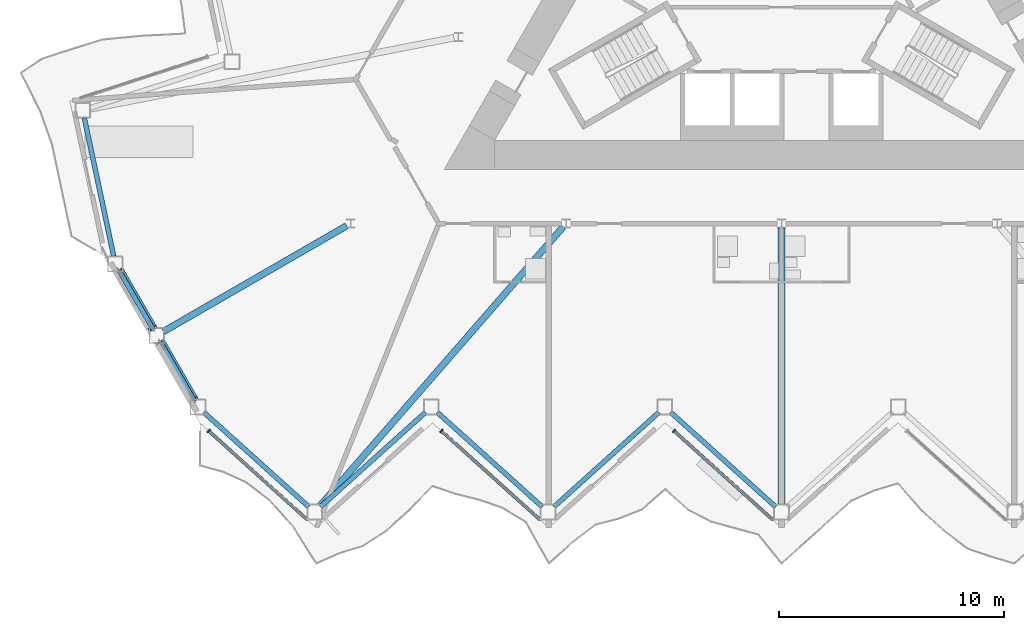
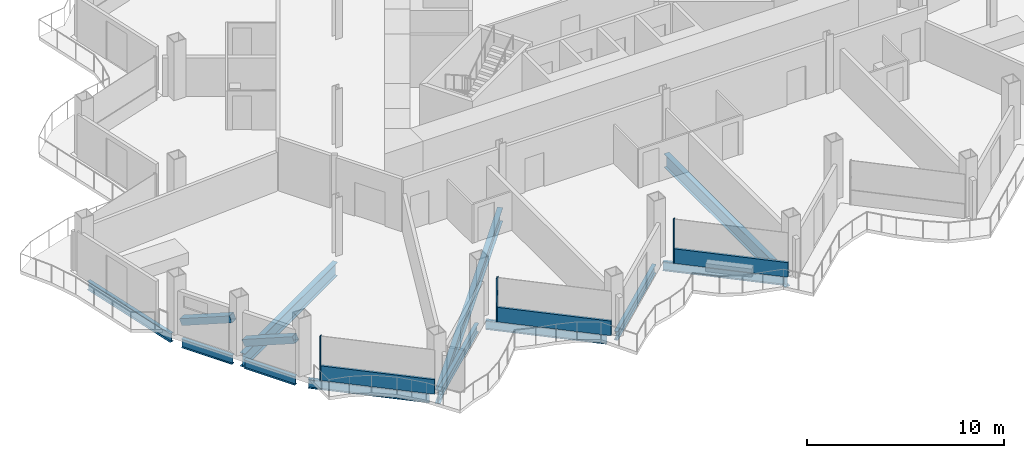
# One storey, part 4 of 24: 11 beams, 8 members, 3 elements without a shape of their own.
"""IFC4 building model written with IfcOpenShell, lengths in metres."""

from ifc_helpers import new_model, si_unit, direction, frame, origin, origin_2d, place, context, subcontext, project, spatial, rectangle, hollow_rectangle, i_section, extrude, material, layer, layer_set, material_profile, profile_set, type_object, element, aggregate, save


model = new_model("IFC4")

# Units and contexts
model_context = context("Model", 3, precision=1e-05, world=origin(), true_north=direction((0.0, 1.0)))
body_context = subcontext(model_context, "Body", "Model", "MODEL_VIEW")
ifc_project = project(units=[si_unit("LENGTHUNIT", "METRE"), si_unit("AREAUNIT", "SQUARE_METRE"), si_unit("VOLUMEUNIT", "CUBIC_METRE"), si_unit("PLANEANGLEUNIT", "RADIAN"), si_unit("MASSUNIT", "GRAM", prefix="KILO")], contexts=[model_context])

# Site, building, storey
site_placement = place(None, origin())
site = spatial("IfcSite", under=ifc_project, at=site_placement, CompositionType="ELEMENT")
building_placement = place(site_placement, origin())
building = spatial("IfcBuilding", under=site, at=building_placement, Name="Cormorant Prow Tower", CompositionType="ELEMENT")
storey_placement = place(building_placement, frame((0.0, 0.0, 238.199951171875)))
storey = spatial("IfcBuildingStorey", under=building, at=storey_placement, Name="L52", CompositionType="ELEMENT", Elevation=238.199951171875)

# Members
ifc_material_1 = material(Name="Structural steel ASTM A500 Gr C", Category="steel")
ifc_material_profile_1 = material_profile(ifc_material_1, hollow_rectangle(XDim=0.406494140625, YDim=0.406494140625, WallThickness=0.01171875, at=origin_2d()), Name="HSS16x16x1/2")
ifc_profile_set_1 = profile_set([ifc_material_profile_1], Name="Structural steel ASTM A500 Gr C")
member_type_1 = type_object("IfcMemberType", Name="Chamfer brace HSS16x16x1/2", PredefinedType="BRACE", material=ifc_profile_set_1)
for number, where, z_axis, x_axis, name in (
    (1, (-29.4287109375, -13.174560546875, 0.74951171875), (0.462773096913, -0.801606962687, 0.378506721399), (0.866041729639, 0.499971721724, 0.0), "Chamfer brace BR2 at WSW00 L52"),
    (2, (-27.593505859375, -16.353271484375, 0.74951171875), (0.462773096913, -0.801606962687, 0.378506721399), (0.866041729639, 0.499971721724, 0.0), "Chamfer brace BR2 at WSW01 L52"),
):
    element("IfcMember", number, at=place(storey_placement, frame(where, z_axis=z_axis, x_axis=x_axis)), inside=storey, type_object=member_type_1, Name=name, PredefinedType="BRACE", context=body_context, shape_type="SweptSolid", body=[
        extrude(hollow_rectangle(XDim=0.406494140625, YDim=0.406494140625, WallThickness=0.01171875, at=origin_2d()), origin(), (0.0, 0.0, 1.0), 3.17529296875),
    ])

# Curtain wall, member
ifc_material_2 = material(Name="Aluminium 6063-T6", Category="aluminium")
ifc_layer = layer(ifc_material_2, 0.179931640625)
ifc_layer_set = layer_set([ifc_layer], Name="Aluminium 6063-T6")
curtain_wall_type = type_object("IfcCurtainWallType", Name="Hotel unitised curtain wall 180", PredefinedType="NOTDEFINED", material=ifc_layer_set)
curtain_wall_1_placement = place(storey_placement, origin())
curtain_wall_1 = element("IfcCurtainWall", 3, at=curtain_wall_1_placement, inside=storey, type_object=curtain_wall_type, Name="Hotel curtain wall S00", PredefinedType="NOTDEFINED")
ifc_material_3 = material(Name="Aluminium 6063-T6", Category="aluminium")
ifc_material_profile_2 = material_profile(ifc_material_3, rectangle(XDim=0.179931640625, YDim=0.06005859375, at=origin_2d()), Name="Hotel mullion 60x180")
ifc_profile_set_2 = profile_set([ifc_material_profile_2], Name="Aluminium 6063-T6")
member_type_2 = type_object("IfcMemberType", Name="Hotel mullion 60x180", PredefinedType="MULLION", material=ifc_profile_set_2)
member_1_placement = place(storey_placement, frame((-25.46484375, -20.278076171875, 0.0), z_axis=(0.0, 0.0, 1.0), x_axis=(0.669130639913, 0.743144795265, 0.0)))
member_1 = element("IfcMember", 4, at=member_1_placement, type_object=member_type_2, Name="Hotel mullion S00", PredefinedType="MULLION", context=body_context, shape_type="SweptSolid", body=[
    extrude(rectangle(XDim=0.179931640625, YDim=0.06005859375, at=origin_2d()), origin(), (0.0, 0.0, 1.0), 2.700927734375),
])

curtain_wall_2_placement = place(storey_placement, origin())
curtain_wall_2 = element("IfcCurtainWall", 5, at=curtain_wall_2_placement, inside=storey, type_object=curtain_wall_type, Name="Hotel curtain wall S02", PredefinedType="NOTDEFINED")
member_2_placement = place(storey_placement, frame((-15.12109375, -20.278076171875, 0.0), z_axis=(0.0, 0.0, 1.0), x_axis=(0.669130639913, 0.743144795265, 0.0)))
member_2 = element("IfcMember", 6, at=member_2_placement, type_object=member_type_2, Name="Hotel mullion S02", PredefinedType="MULLION", context=body_context, shape_type="SweptSolid", body=[
    extrude(rectangle(XDim=0.179931640625, YDim=0.06005859375, at=origin_2d()), origin(), (0.0, 0.0, 1.0), 2.700927734375),
])

curtain_wall_3_placement = place(storey_placement, origin())
curtain_wall_3 = element("IfcCurtainWall", 7, at=curtain_wall_3_placement, inside=storey, type_object=curtain_wall_type, Name="Hotel curtain wall S04", PredefinedType="NOTDEFINED")
member_3_placement = place(storey_placement, frame((-4.77734375, -20.278076171875, 0.0), z_axis=(0.0, 0.0, 1.0), x_axis=(0.669130568473, 0.74314485959, 0.0)))
member_3 = element("IfcMember", 8, at=member_3_placement, type_object=member_type_2, Name="Hotel mullion S04", PredefinedType="MULLION", context=body_context, shape_type="SweptSolid", body=[
    extrude(rectangle(XDim=0.179931640625, YDim=0.06005859375, at=origin_2d()), origin(), (0.0, 0.0, 1.0), 2.700927734375),
])

# Member
ifc_material_4 = material(Name="Terracotta", Category="masonry")
ifc_material_profile_3 = material_profile(ifc_material_4, rectangle(XDim=0.139892578125, YDim=0.89990234375, at=origin_2d()), Name="Hotel terracotta spandrel rail 140x900")
ifc_profile_set_3 = profile_set([ifc_material_profile_3], Name="Terracotta")
member_type_3 = type_object("IfcMemberType", Name="Hotel terracotta spandrel rail 140x900", PredefinedType="USERDEFINED", material=ifc_profile_set_3)
member_4_placement = place(storey_placement, frame((-25.442626953125, -20.29833984375, 0.449951171875), z_axis=(0.743166509731, -0.669106522771, 0.0), x_axis=(0.669106522771, 0.743166509731, 0.0)))
member_4 = element("IfcMember", 9, at=member_4_placement, type_object=member_type_3, Name="Hotel spandrel rail S00", ObjectType="TRANSOM", PredefinedType="USERDEFINED", context=body_context, shape_type="SweptSolid", body=[
    extrude(rectangle(XDim=0.139892578125, YDim=0.89990234375, at=origin_2d()), origin(), (0.0, 0.0, 1.0), 5.8974609375),
])

aggregate(curtain_wall_1, [member_1, member_4])

member_5_placement = place(storey_placement, frame((-15.098876953125, -20.29833984375, 0.449951171875), z_axis=(0.743166509731, -0.669106522771, 0.0), x_axis=(0.669106522771, 0.743166509731, 0.0)))
member_5 = element("IfcMember", 10, at=member_5_placement, type_object=member_type_3, Name="Hotel spandrel rail S02", ObjectType="TRANSOM", PredefinedType="USERDEFINED", context=body_context, shape_type="SweptSolid", body=[
    extrude(rectangle(XDim=0.139892578125, YDim=0.89990234375, at=origin_2d()), origin(), (0.0, 0.0, 1.0), 5.8974609375),
])

aggregate(curtain_wall_2, [member_2, member_5])

member_6_placement = place(storey_placement, frame((-4.7548828125, -20.29833984375, 0.449951171875), z_axis=(0.743147975104, -0.669127108328, 0.0), x_axis=(0.669127108328, 0.743147975104, 0.0)))
member_6 = element("IfcMember", 11, at=member_6_placement, type_object=member_type_3, Name="Hotel spandrel rail S04", ObjectType="TRANSOM", PredefinedType="USERDEFINED", context=body_context, shape_type="SweptSolid", body=[
    extrude(rectangle(XDim=0.139892578125, YDim=0.89990234375, at=origin_2d()), origin(), (0.0, 0.0, 1.0), 5.897216796875),
])

aggregate(curtain_wall_3, [member_3, member_6])

# Beams
ifc_material_5 = material(Name="Structural steel ASTM A992 Gr 50", Category="steel")
ifc_material_profile_4 = material_profile(ifc_material_5, i_section(OverallWidth=0.29296875, OverallDepth=0.845703125, WebThickness=0.015380859375, FlangeThickness=0.0244140625, at=origin_2d()), Name="W33x141")
ifc_profile_set_4 = profile_set([ifc_material_profile_4], Name="Structural steel ASTM A992 Gr 50")
beam_type_1 = type_object("IfcBeamType", Name="Radial floor beam W33x141", PredefinedType="BEAM", material=ifc_profile_set_4)
beam_1_placement = place(storey_placement, frame((-19.32958984375, -11.159912109375, -0.77294921875), z_axis=(-0.866021726843, -0.500006368596, 0.0), x_axis=(0.500006368596, -0.866021726843, 0.0)))
element("IfcBeam", 12, at=beam_1_placement, inside=storey, type_object=beam_type_1, Name="Radial floor beam FB2 5 L52", PredefinedType="BEAM", context=body_context, shape_type="SweptSolid", body=[
    extrude(i_section(OverallWidth=0.29296875, OverallDepth=0.845703125, WebThickness=0.015380859375, FlangeThickness=0.0244140625, at=origin_2d()), origin(), (0.0, 0.0, 1.0), 9.40380859375),
])
beam_2_placement = place(storey_placement, frame((-9.70947265625, -11.210693359375, -0.77294921875), z_axis=(-0.656874593387, -0.753999846527, 0.0), x_axis=(0.753999846527, -0.656874593387, 0.0)))
element("IfcBeam", 13, at=beam_2_placement, inside=storey, type_object=beam_type_1, Name="Radial floor beam FB2 6 L52", PredefinedType="BEAM", context=body_context, shape_type="SweptSolid", body=[
    extrude(i_section(OverallWidth=0.29296875, OverallDepth=0.845703125, WebThickness=0.015380859375, FlangeThickness=0.0244140625, at=origin_2d()), origin(), (0.0, 0.0, 1.0), 16.4619140625),
])
beam_3_placement = place(storey_placement, frame((0.0, -11.259765625, -0.77294921875), z_axis=(0.0, -1.0, 0.0), x_axis=(1.0, 0.0, 0.0)))
element("IfcBeam", 14, at=beam_3_placement, inside=storey, type_object=beam_type_1, Name="Radial floor beam FB2 7 L52", PredefinedType="BEAM", context=body_context, shape_type="SweptSolid", body=[
    extrude(i_section(OverallWidth=0.29296875, OverallDepth=0.845703125, WebThickness=0.015380859375, FlangeThickness=0.0244140625, at=origin_2d()), origin(), (0.0, 0.0, 1.0), 12.277099609375),
])
ifc_material_6 = material(Name="Structural steel ASTM A992 Gr 50", Category="steel")
ifc_material_profile_5 = material_profile(ifc_material_6, i_section(OverallWidth=0.2138671875, OverallDepth=0.549072265625, WebThickness=0.0146484375, FlangeThickness=0.023681640625, at=origin_2d()), Name="W21x93")
ifc_profile_set_5 = profile_set([ifc_material_profile_5], Name="Structural steel ASTM A992 Gr 50")
beam_type_2 = type_object("IfcBeamType", Name="Spandrel beam W21x93", PredefinedType="SPANDREL", material=ifc_profile_set_5)
for number, where, z_axis, x_axis, name in (
    (15, (-25.68115234375, -19.44970703125, -0.62451171875), (0.743156918576, -0.669117175368, 0.0), (0.669117175368, 0.743156918576, 0.0), "Spandrel beam SB2 S00-S01 L52"),
    (16, (-20.492919921875, -23.65283203125, -0.62451171875), (0.743156918576, 0.669117175368, 0.0), (-0.669117175368, 0.743156918576, 0.0), "Spandrel beam SB2 S01-S02 L52"),
    (17, (-15.3046875, -19.44970703125, -0.62451171875), (0.743156918576, -0.669117175368, 0.0), (0.669117175368, 0.743156918576, 0.0), "Spandrel beam SB2 S02-S03 L52"),
    (18, (-10.116455078125, -23.65283203125, -0.62451171875), (0.743156918576, 0.669117175368, 0.0), (-0.669117175368, 0.743156918576, 0.0), "Spandrel beam SB2 S03-S04 L52"),
    (19, (-4.92822265625, -19.44970703125, -0.62451171875), (0.743156918576, -0.669117175368, 0.0), (0.669117175368, 0.743156918576, 0.0), "Spandrel beam SB2 S04-S05 L52"),
):
    element("IfcBeam", number, at=place(storey_placement, frame(where, z_axis=z_axis, x_axis=x_axis)), inside=storey, type_object=beam_type_2, Name=name, PredefinedType="SPANDREL", context=body_context, shape_type="SweptSolid", body=[
        extrude(i_section(OverallWidth=0.2138671875, OverallDepth=0.549072265625, WebThickness=0.0146484375, FlangeThickness=0.023681640625, at=origin_2d()), origin(), (0.0, 0.0, 1.0), 6.281494140625),
    ])
beam_4_placement = place(storey_placement, frame((-30.990478515625, -6.37158203125, -0.62451171875), z_axis=(0.207941499013, -0.978141264331, 0.0), x_axis=(0.978141264331, 0.207941499013, 0.0)))
element("IfcBeam", 20, at=beam_4_placement, inside=storey, type_object=beam_type_2, Name="Spandrel beam SB2 WNW09-WSW00 L52", PredefinedType="SPANDREL", context=body_context, shape_type="SweptSolid", body=[
    extrude(i_section(OverallWidth=0.2138671875, OverallDepth=0.549072265625, WebThickness=0.0146484375, FlangeThickness=0.023681640625, at=origin_2d()), origin(), (0.0, 0.0, 1.0), 6.28125),
])
for number, where, z_axis, x_axis, name in (
    (21, (-29.4365234375, -13.1611328125, -0.62451171875), (0.499966725515, -0.866044613965, 0.0), (0.866044613965, 0.499966725515, 0.0), "Spandrel beam SB2 WSW00-WSW01 L52"),
    (22, (-27.601318359375, -16.33984375, -0.62451171875), (0.499966725515, -0.866044613965, 0.0), (0.866044613965, 0.499966725515, 0.0), "Spandrel beam SB2 WSW01-S00 L52"),
):
    element("IfcBeam", number, at=place(storey_placement, frame(where, z_axis=z_axis, x_axis=x_axis)), inside=storey, type_object=beam_type_2, Name=name, PredefinedType="SPANDREL", context=body_context, shape_type="SweptSolid", body=[
        extrude(i_section(OverallWidth=0.2138671875, OverallDepth=0.549072265625, WebThickness=0.0146484375, FlangeThickness=0.023681640625, at=origin_2d()), origin(), (0.0, 0.0, 1.0), 2.970458984375),
    ])

save(model, "model.ifc")
